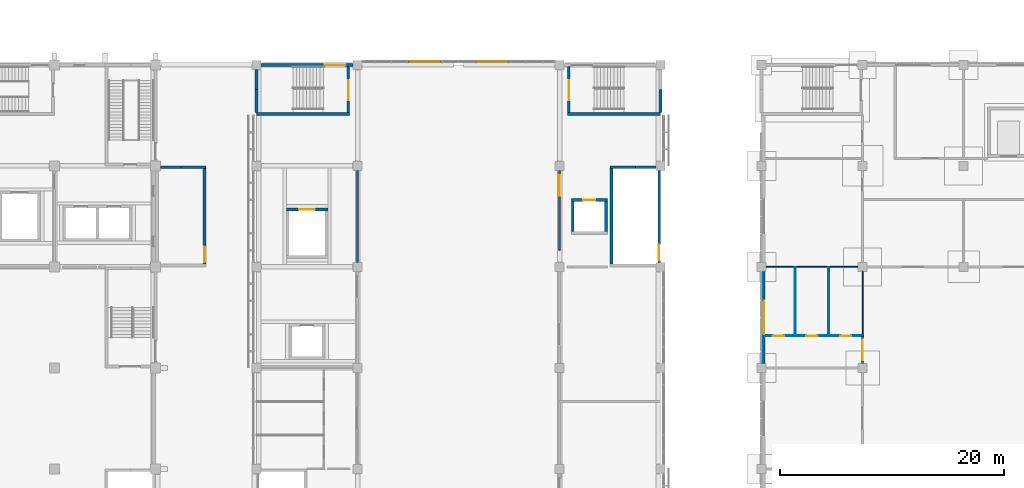
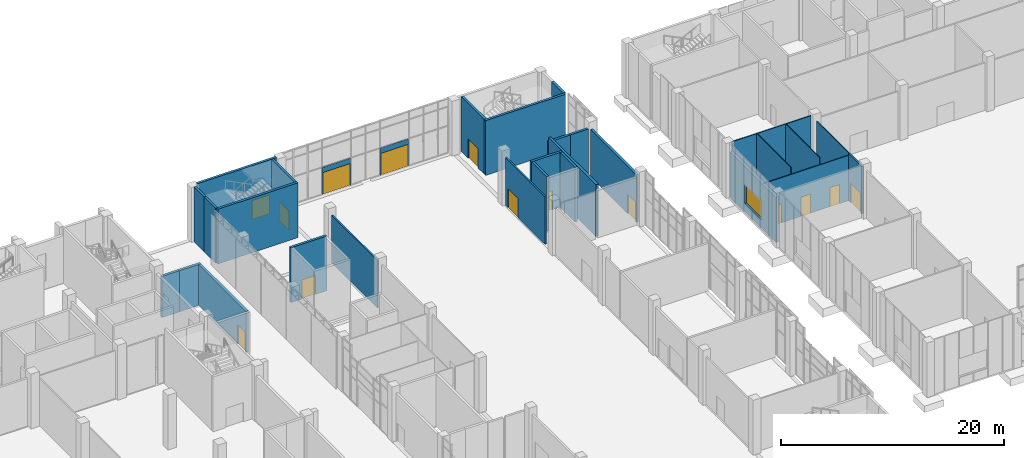
# One storey, part 57 of 86: 30 walls, 14 doors, 1 window, 15 openings.
"""IFC4 building model written with IfcOpenShell, lengths in metres."""

from ifc_helpers import new_model, si_unit, direction, frame, frame_2d, origin, place, context, subcontext, project, spatial, rectangle, extrude, material, layer, layer_set, type_object, element, fill, save


model = new_model("IFC4")

# Units and contexts
model_context = context("Model", 3, precision=1e-05, world=origin(), true_north=direction((0.0, 1.0)))
body_context = subcontext(model_context, "Body", "Model", "MODEL_VIEW")
ifc_project = project(units=[si_unit("LENGTHUNIT", "METRE"), si_unit("AREAUNIT", "SQUARE_METRE"), si_unit("VOLUMEUNIT", "CUBIC_METRE"), si_unit("PLANEANGLEUNIT", "RADIAN"), si_unit("MASSUNIT", "GRAM", prefix="KILO")], contexts=[model_context])

# Site, building, storey
site_placement = place(None, origin())
site = spatial("IfcSite", under=ifc_project, at=site_placement, CompositionType="ELEMENT")
building_placement = place(site_placement, origin())
building = spatial("IfcBuilding", under=site, at=building_placement, Name="Guidao Yard Department Store", CompositionType="ELEMENT")
storey_placement = place(building_placement, origin())
storey = spatial("IfcBuildingStorey", under=building, at=storey_placement, Name="L00", CompositionType="ELEMENT", Elevation=0.0)

# Wall, openings, doors
ifc_material_1 = material(Name="Moisture-resistant board on Steel Q235 studs", Category="steel")
ifc_layer_1 = layer(ifc_material_1, 0.080078125)
ifc_layer_set_1 = layer_set([ifc_layer_1], Name="Cubicle Partition F6 80 mm moisture-resistant board")
wall_type_1 = type_object("IfcWallType", Name="Cubicle Partition F6 80 mm moisture-resistant board", PredefinedType="PARTITIONING", material=ifc_layer_set_1)
wall_1_placement = place(storey_placement, frame((117.14990234375, 83.85009765625, 0.0), z_axis=(0.0, 0.0, 1.0), x_axis=(1.0, 0.0, 0.0)))
wall_1 = element("IfcWall", 1, at=wall_1_placement, inside=storey, type_object=wall_type_1, Name="Wall W-L00-3026", PredefinedType="PARTITIONING", context=body_context, shape_type="SweptSolid", body=[
    extrude(rectangle(XDim=8.925048828125, YDim=0.080078125, at=frame_2d((4.46240234375, 0.0))), origin(), (0.0, 0.0, 1.0), 4.949951171875),
])
opening_1_placement = place(wall_1_placement, frame((0.85009765625, 0.0, 0.0)))
opening_1 = element("IfcOpeningElement", 2, at=opening_1_placement, cuts=wall_1, Name="Opening L00-313", PredefinedType="OPENING", context=body_context, shape_type="SweptSolid", body=[
    extrude(rectangle(XDim=1.0, YDim=2.10009765625, at=frame_2d((0.5, 1.050048828125))), frame((0.0, 0.050048828125, 0.0), z_axis=(0.0, -1.0, 0.0), x_axis=(1.0, 0.0, 0.0)), (0.0, 0.0, 1.0), 0.10009765625),
])
opening_2_placement = place(wall_1_placement, frame((3.85009765625, 0.0, 0.0)))
opening_2 = element("IfcOpeningElement", 3, at=opening_2_placement, cuts=wall_1, Name="Opening L00-314", PredefinedType="OPENING", context=body_context, shape_type="SweptSolid", body=[
    extrude(rectangle(XDim=1.0, YDim=2.10009765625, at=frame_2d((0.5, 1.050048828125))), frame((0.0, 0.050048828125, 0.0), z_axis=(0.0, -1.0, 0.0), x_axis=(1.0, 0.0, 0.0)), (0.0, 0.0, 1.0), 0.10009765625),
])
opening_3_placement = place(wall_1_placement, frame((6.85009765625, 0.0, 0.0)))
opening_3 = element("IfcOpeningElement", 4, at=opening_3_placement, cuts=wall_1, Name="Opening L00-315", PredefinedType="OPENING", context=body_context, shape_type="SweptSolid", body=[
    extrude(rectangle(XDim=1.0, YDim=2.10009765625, at=frame_2d((0.5, 1.050048828125))), frame((0.0, 0.050048828125, 0.0), z_axis=(0.0, -1.0, 0.0), x_axis=(1.0, 0.0, 0.0)), (0.0, 0.0, 1.0), 0.10009765625),
])
ifc_material_2 = material(Name="Timber door leaf", Category="wood")
door_type_1 = type_object("IfcDoorType", Name="Door FN1 1000 x 2100", OperationType="SINGLE_SWING_LEFT", PredefinedType="DOOR", material=ifc_material_2)
door_1_placement = place(opening_1_placement, origin())
door_1 = element("IfcDoor", 5, at=door_1_placement, inside=storey, type_object=door_type_1, Name="Door L00-313", OperationType="SINGLE_SWING_LEFT", OverallHeight=2.10009765625, OverallWidth=1.0, PredefinedType="DOOR", context=body_context, shape_type="SweptSolid", body=[
    extrude(rectangle(XDim=1.0, YDim=2.10009765625, at=frame_2d((0.5, 1.050048828125))), frame((0.0, 0.02490234375, 0.0), z_axis=(0.0, -1.0, 0.0), x_axis=(1.0, 0.0, 0.0)), (0.0, 0.0, 1.0), 0.050048828125),
])
fill(opening_1, door_1)
door_2_placement = place(opening_3_placement, origin())
door_2 = element("IfcDoor", 6, at=door_2_placement, inside=storey, type_object=door_type_1, Name="Door L00-315", OperationType="SINGLE_SWING_RIGHT", OverallHeight=2.10009765625, OverallWidth=1.0, PredefinedType="DOOR", context=body_context, shape_type="SweptSolid", body=[
    extrude(rectangle(XDim=1.0, YDim=2.10009765625, at=frame_2d((0.5, 1.050048828125))), frame((0.0, 0.02490234375, 0.0), z_axis=(0.0, -1.0, 0.0), x_axis=(1.0, 0.0, 0.0)), (0.0, 0.0, 1.0), 0.050048828125),
])
fill(opening_3, door_2)
ifc_material_3 = material(Name="Timber door leaf", Category="wood")
door_type_2 = type_object("IfcDoorType", Name="Door FN3 accessible WC 1000 x 2100", OperationType="SINGLE_SWING_LEFT", PredefinedType="DOOR", material=ifc_material_3)
door_3_placement = place(opening_2_placement, origin())
door_3 = element("IfcDoor", 7, at=door_3_placement, inside=storey, type_object=door_type_2, Name="Door L00-314", OperationType="SINGLE_SWING_LEFT", OverallHeight=2.10009765625, OverallWidth=1.0, PredefinedType="DOOR", context=body_context, shape_type="SweptSolid", body=[
    extrude(rectangle(XDim=1.0, YDim=2.10009765625, at=frame_2d((0.5, 1.050048828125))), frame((0.0, 0.02490234375, 0.0), z_axis=(0.0, -1.0, 0.0), x_axis=(1.0, 0.0, 0.0)), (0.0, 0.0, 1.0), 0.050048828125),
])
fill(opening_2, door_3)

# Walls
for number, where, z_axis, x_axis, name in (
    (8, (120.0, 83.889892578125, 0.0), (0.0, 0.0, 1.0), (0.0, 1.0, 0.0), "Wall W-L00-3027"),
    (9, (123.0, 83.889892578125, 0.0), (0.0, 0.0, 1.0), (0.0, 1.0, 0.0), "Wall W-L00-3028"),
):
    element("IfcWall", number, at=place(storey_placement, frame(where, z_axis=z_axis, x_axis=x_axis)), inside=storey, type_object=wall_type_1, Name=name, PredefinedType="PARTITIONING", context=body_context, shape_type="SweptSolid", body=[
        extrude(rectangle(XDim=6.06005859375, YDim=0.080078125, at=frame_2d((3.030029296875, 0.0))), origin(), (0.0, 0.0, 1.0), 5.699951171875),
    ])

# Wall, opening, window
ifc_material_4 = material(Name="Concrete C30", Category="concrete")
ifc_layer_2 = layer(ifc_material_4, 0.300048828125)
ifc_layer_set_2 = layer_set([ifc_layer_2], Name="Food hall wall 300 C30")
wall_type_2 = type_object("IfcWallType", Name="Food hall wall 300 C30", PredefinedType="SOLIDWALL", material=ifc_layer_set_2)
wall_2_placement = place(storey_placement, frame((117.14990234375, 81.39990234375, 0.0), z_axis=(0.0, 0.0, 1.0), x_axis=(0.0, 1.0, 0.0)))
wall_2 = element("IfcWall", 10, at=wall_2_placement, inside=storey, type_object=wall_type_2, Name="Food hall wall", PredefinedType="SOLIDWALL", context=body_context, shape_type="SweptSolid", body=[
    extrude(rectangle(XDim=8.2001953125, YDim=0.300048828125, at=frame_2d((4.10009765625, 0.0))), origin(), (0.0, 0.0, 1.0), 4.949951171875),
])
opening_4_placement = place(wall_2_placement, frame((2.60009765625, 0.0, 0.89990234375)))
opening_4 = element("IfcOpeningElement", 11, at=opening_4_placement, cuts=wall_2, Name="Opening WN-L00-E14", PredefinedType="OPENING", context=body_context, shape_type="SweptSolid", body=[
    extrude(rectangle(XDim=3.0, YDim=2.10009765625, at=frame_2d((1.5, 1.050048828125))), frame((0.0, 0.159912109375, 0.0), z_axis=(0.0, -1.0, 0.0), x_axis=(1.0, 0.0, 0.0)), (0.0, 0.0, 1.0), 0.320068359375),
])
ifc_material_5 = material(Name="Laminated glass in aluminium frame", Category="aluminium")
window_type = type_object("IfcWindowType", Name="Punched window PW2 3000 x 2100 fixed", PartitioningType="SINGLE_PANEL", PredefinedType="WINDOW", material=ifc_material_5)
window_placement = place(opening_4_placement, origin())
window = element("IfcWindow", 12, at=window_placement, inside=storey, type_object=window_type, Name="Punched window", OverallHeight=2.10009765625, OverallWidth=3.0, PartitioningType="SINGLE_PANEL", PredefinedType="WINDOW", context=body_context, shape_type="SweptSolid", body=[
    extrude(rectangle(XDim=3.0, YDim=2.10009765625, at=frame_2d((1.5, 1.050048828125))), frame((0.0, -0.030029296875, 0.0), z_axis=(0.0, -1.0, 0.0), x_axis=(1.0, 0.0, 0.0)), (0.0, 0.0, 1.0), 0.06005859375),
])
fill(opening_4, window)

# Wall, opening, door
ifc_material_6 = material(Name="Aluminium 6063-T5", Category="aluminium")
ifc_layer_3 = layer(ifc_material_6, 0.1201171875)
ifc_layer_set_3 = layer_set([ifc_layer_3], Name="Glazing frame wall 120")
wall_type_3 = type_object("IfcWallType", Name="Glazing frame wall 120", PredefinedType="STANDARD", material=ifc_layer_set_3)
wall_3_placement = place(storey_placement, frame((85.530029296875, 108.280029296875, 0.0), z_axis=(0.0, 0.0, 1.0), x_axis=(1.0, 0.0, 0.0)))
wall_3 = element("IfcWall", 13, at=wall_3_placement, inside=storey, type_object=wall_type_3, Name="Frame wall for Pedestrian exit gate", PredefinedType="STANDARD", context=body_context, shape_type="SweptSolid", body=[
    extrude(rectangle(XDim=2.93994140625, YDim=0.1201171875, at=frame_2d((1.469970703125, 0.0))), origin(), (0.0, 0.0, 1.0), 2.969970703125),
])
opening_5_placement = place(wall_3_placement, frame((0.070068359375, 0.0, 0.0)))
opening_5 = element("IfcOpeningElement", 14, at=opening_5_placement, cuts=wall_3, Name="Opening L00-867", PredefinedType="OPENING", context=body_context, shape_type="SweptSolid", body=[
    extrude(rectangle(XDim=2.800048828125, YDim=2.39990234375, at=frame_2d((1.39990234375, 1.199951171875))), frame((0.0, 0.070068359375, 0.0), z_axis=(0.0, -1.0, 0.0), x_axis=(1.0, 0.0, 0.0)), (0.0, 0.0, 1.0), 0.14013671875),
])
ifc_material_7 = material(Name="Toughened glass in Aluminium 6063-T5 frame", Category="aluminium")
door_type_3 = type_object("IfcDoorType", Name="Entrance door ED1 2800 x 2400 glazed double leaf", OperationType="DOUBLE_DOOR_SINGLE_SWING", PredefinedType="DOOR", material=ifc_material_7)
door_4_placement = place(opening_5_placement, origin())
door_4 = element("IfcDoor", 15, at=door_4_placement, inside=storey, type_object=door_type_3, Name="Pedestrian exit gate", OperationType="DOUBLE_DOOR_SINGLE_SWING", OverallHeight=2.39990234375, OverallWidth=2.800048828125, PredefinedType="DOOR", context=body_context, shape_type="SweptSolid", body=[
    extrude(rectangle(XDim=2.800048828125, YDim=2.39990234375, at=frame_2d((1.39990234375, 1.199951171875))), frame((0.0, 0.02490234375, 0.0), z_axis=(0.0, -1.0, 0.0), x_axis=(1.0, 0.0, 0.0)), (0.0, 0.0, 1.0), 0.050048828125),
])
fill(opening_5, door_4)

wall_4_placement = place(storey_placement, frame((91.530029296875, 108.280029296875, 0.0), z_axis=(0.0, 0.0, 1.0), x_axis=(1.0, 0.0, 0.0)))
wall_4 = element("IfcWall", 16, at=wall_4_placement, inside=storey, type_object=wall_type_3, Name="Frame wall for Pedestrian exit gate", PredefinedType="STANDARD", context=body_context, shape_type="SweptSolid", body=[
    extrude(rectangle(XDim=2.93994140625, YDim=0.1201171875, at=frame_2d((1.469970703125, 0.0))), origin(), (0.0, 0.0, 1.0), 2.969970703125),
])
opening_6_placement = place(wall_4_placement, frame((0.070068359375, 0.0, 0.0)))
opening_6 = element("IfcOpeningElement", 17, at=opening_6_placement, cuts=wall_4, Name="Opening L00-868", PredefinedType="OPENING", context=body_context, shape_type="SweptSolid", body=[
    extrude(rectangle(XDim=2.800048828125, YDim=2.39990234375, at=frame_2d((1.39990234375, 1.199951171875))), frame((0.0, 0.070068359375, 0.0), z_axis=(0.0, -1.0, 0.0), x_axis=(1.0, 0.0, 0.0)), (0.0, 0.0, 1.0), 0.14013671875),
])
door_5_placement = place(opening_6_placement, origin())
door_5 = element("IfcDoor", 18, at=door_5_placement, inside=storey, type_object=door_type_3, Name="Pedestrian exit gate", OperationType="DOUBLE_DOOR_SINGLE_SWING", OverallHeight=2.39990234375, OverallWidth=2.800048828125, PredefinedType="DOOR", context=body_context, shape_type="SweptSolid", body=[
    extrude(rectangle(XDim=2.800048828125, YDim=2.39990234375, at=frame_2d((1.39990234375, 1.199951171875))), frame((0.0, 0.02490234375, 0.0), z_axis=(0.0, -1.0, 0.0), x_axis=(1.0, 0.0, 0.0)), (0.0, 0.0, 1.0), 0.050048828125),
])
fill(opening_6, door_5)

# Walls
ifc_material_8 = material(Name="Gypsum board on Steel Q235 studs", Category="steel")
ifc_layer_4 = layer(ifc_material_8, 0.10009765625)
ifc_layer_set_4 = layer_set([ifc_layer_4], Name="Partition F1 100 mm gypsum board EI 30")
wall_type_4 = type_object("IfcWallType", Name="Partition F1 100 mm gypsum board EI 30", PredefinedType="PARTITIONING", material=ifc_layer_set_4)
wall_5_placement = place(storey_placement, frame((126.0, 83.889892578125, 0.0), z_axis=(0.0, 0.0, 1.0), x_axis=(0.0, 1.0, 0.0)))
element("IfcWall", 19, at=wall_5_placement, inside=storey, type_object=wall_type_4, Name="Wall W-L00-3029", PredefinedType="PARTITIONING", context=body_context, shape_type="SweptSolid", body=[
    extrude(rectangle(XDim=5.710205078125, YDim=0.10009765625, at=frame_2d((2.85498046875, 0.0))), origin(), (0.0, 0.0, 1.0), 5.199951171875),
])
wall_6_placement = place(storey_placement, frame((117.39990234375, 90.0, 0.0), z_axis=(0.0, 0.0, 1.0), x_axis=(1.0, 0.0, 0.0)))
element("IfcWall", 20, at=wall_6_placement, inside=storey, type_object=wall_type_4, Name="Wall W-L00-3034", PredefinedType="PARTITIONING", context=body_context, shape_type="SweptSolid", body=[
    extrude(rectangle(XDim=8.2001953125, YDim=0.10009765625, at=frame_2d((4.10009765625, 0.0))), origin(), (0.0, 0.0, 1.0), 5.699951171875),
])

# Wall, opening, door
ifc_material_9 = material(Name="Concrete block MU10", Category="concrete")
ifc_layer_5 = layer(ifc_material_9, 0.14990234375)
ifc_layer_set_5 = layer_set([ifc_layer_5], Name="Stall Front Wall F4 150 mm blockwork EI 60")
wall_type_5 = type_object("IfcWallType", Name="Stall Front Wall F4 150 mm blockwork EI 60", PredefinedType="PARTITIONING", material=ifc_layer_set_5)
wall_7_placement = place(storey_placement, frame((126.0, 81.39990234375, 0.0), z_axis=(0.0, 0.0, 1.0), x_axis=(0.0, 1.0, 0.0)))
wall_7 = element("IfcWall", 21, at=wall_7_placement, inside=storey, type_object=wall_type_5, Name="Wall W-L00-3023", PredefinedType="PARTITIONING", context=body_context, shape_type="SweptSolid", body=[
    extrude(rectangle(XDim=2.41015625, YDim=0.14990234375, at=frame_2d((1.205078125, 0.0))), origin(), (0.0, 0.0, 1.0), 5.199951171875),
])
opening_7_placement = place(wall_7_placement, frame((0.300048828125, 0.0, 0.0)))
opening_7 = element("IfcOpeningElement", 22, at=opening_7_placement, cuts=wall_7, Name="Opening L00-312", PredefinedType="OPENING", context=body_context, shape_type="SweptSolid", body=[
    extrude(rectangle(XDim=1.800048828125, YDim=2.10009765625, at=frame_2d((0.89990234375, 1.050048828125))), frame((0.0, 0.0849609375, 0.0), z_axis=(0.0, -1.0, 0.0), x_axis=(1.0, 0.0, 0.0)), (0.0, 0.0, 1.0), 0.169921875),
])
ifc_material_10 = material(Name="Timber door leaf", Category="wood")
door_type_4 = type_object("IfcDoorType", Name="Door FN2 double 1800 x 2100", OperationType="DOUBLE_DOOR_SINGLE_SWING", PredefinedType="DOOR", material=ifc_material_10)
door_6_placement = place(opening_7_placement, origin())
door_6 = element("IfcDoor", 23, at=door_6_placement, inside=storey, type_object=door_type_4, Name="Door L00-312", OperationType="DOUBLE_DOOR_SINGLE_SWING", OverallHeight=2.10009765625, OverallWidth=1.800048828125, PredefinedType="DOOR", context=body_context, shape_type="SweptSolid", body=[
    extrude(rectangle(XDim=1.800048828125, YDim=2.10009765625, at=frame_2d((0.89990234375, 1.050048828125))), frame((0.0, 0.02490234375, 0.0), z_axis=(0.0, -1.0, 0.0), x_axis=(1.0, 0.0, 0.0)), (0.0, 0.0, 1.0), 0.050048828125),
])
fill(opening_7, door_6)

# Wall
ifc_material_11 = material(Name="Concrete block MU10", Category="concrete")
ifc_layer_6 = layer(ifc_material_11, 0.14990234375)
ifc_layer_set_6 = layer_set([ifc_layer_6], Name="Wall P2 150 mm blockwork EI 60")
wall_type_6 = type_object("IfcWallType", Name="Wall P2 150 mm blockwork EI 60", PredefinedType="PARTITIONING", material=ifc_layer_set_6)
wall_8_placement = place(storey_placement, frame((81.0, 90.39990234375, 0.0), z_axis=(0.0, 0.0, 1.0), x_axis=(0.0, 1.0, 0.0)))
element("IfcWall", 24, at=wall_8_placement, inside=storey, type_object=wall_type_6, Name="Wall W-AL00-024", PredefinedType="PARTITIONING", context=body_context, shape_type="SweptSolid", body=[
    extrude(rectangle(XDim=8.2001953125, YDim=0.14990234375, at=frame_2d((4.10009765625, 0.0))), origin(), (0.0, 0.0, 1.0), 5.199951171875),
])

# Wall, opening, door
wall_9_placement = place(storey_placement, frame((99.0, 91.5, 0.0), z_axis=(0.0, 0.0, 1.0), x_axis=(0.0, 1.0, 0.0)))
wall_9 = element("IfcWall", 25, at=wall_9_placement, inside=storey, type_object=wall_type_6, Name="Wall W-AL00-025", PredefinedType="PARTITIONING", context=body_context, shape_type="SweptSolid", body=[
    extrude(rectangle(XDim=7.10009765625, YDim=0.14990234375, at=frame_2d((3.550048828125, 0.0))), origin(), (0.0, 0.0, 1.0), 5.199951171875),
])
opening_8_placement = place(wall_9_placement, frame((6.650146484375, 0.0, 0.0), z_axis=(0.0, 0.0, 1.0), x_axis=(-1.0, 0.0, 0.0)))
opening_8 = element("IfcOpeningElement", 26, at=opening_8_placement, cuts=wall_9, Name="Opening AL00-010", PredefinedType="OPENING", context=body_context, shape_type="SweptSolid", body=[
    extrude(rectangle(XDim=1.800048828125, YDim=2.10009765625, at=frame_2d((0.89990234375, 1.050048828125))), frame((0.0, 0.0849609375, 0.0), z_axis=(0.0, -1.0, 0.0), x_axis=(1.0, 0.0, 0.0)), (0.0, 0.0, 1.0), 0.169921875),
])
ifc_material_12 = material(Name="Steel Q235", Category="steel")
door_type_5 = type_object("IfcDoorType", Name="Door FD5 double 1800 x 2100 FD60", OperationType="DOUBLE_DOOR_SINGLE_SWING", PredefinedType="DOOR", material=ifc_material_12)
door_7_placement = place(opening_8_placement, origin())
door_7 = element("IfcDoor", 27, at=door_7_placement, inside=storey, type_object=door_type_5, Name="Door AL00-010", OperationType="DOUBLE_DOOR_SINGLE_SWING", OverallHeight=2.10009765625, OverallWidth=1.800048828125, PredefinedType="DOOR", context=body_context, shape_type="SweptSolid", body=[
    extrude(rectangle(XDim=1.800048828125, YDim=2.10009765625, at=frame_2d((0.89990234375, 1.050048828125))), frame((0.0, 0.02490234375, 0.0), z_axis=(0.0, -1.0, 0.0), x_axis=(1.0, 0.0, 0.0)), (0.0, 0.0, 1.0), 0.050048828125),
])
fill(opening_8, door_7)

# Walls
ifc_material_13 = material(Name="Concrete C40", Category="concrete")
ifc_layer_7 = layer(ifc_material_13, 0.25)
ifc_layer_set_7 = layer_set([ifc_layer_7], Name="Wall RC 250 C40 stair and shaft")
wall_type_7 = type_object("IfcWallType", Name="Wall RC 250 C40 stair and shaft", PredefinedType="SHEAR", material=ifc_layer_set_7)
wall_10_placement = place(storey_placement, frame((103.5, 98.875, 0.0), z_axis=(0.0, 0.0, 1.0), x_axis=(1.0, 0.0, 0.0)))
element("IfcWall", 28, at=wall_10_placement, inside=storey, type_object=wall_type_7, Name="Stair wall BSG2", PredefinedType="SHEAR", context=body_context, shape_type="SweptSolid", body=[
    extrude(rectangle(XDim=2.25, YDim=0.25, at=frame_2d((1.125, 0.0))), origin(), (0.0, 0.0, 1.0), 5.199951171875),
])
wall_11_placement = place(storey_placement, frame((105.75, 98.875, 0.0), z_axis=(0.0, 0.0, 1.0), x_axis=(1.0, 0.0, 0.0)))
element("IfcWall", 29, at=wall_11_placement, inside=storey, type_object=wall_type_7, Name="Stair wall BSG2", PredefinedType="SHEAR", context=body_context, shape_type="SweptSolid", body=[
    extrude(rectangle(XDim=1.85009765625, YDim=0.25, at=frame_2d((0.925048828125, 0.0))), origin(), (0.0, 0.0, 1.0), 5.199951171875),
])
wall_12_placement = place(storey_placement, frame((103.625, 90.25, 0.0), z_axis=(0.0, 0.0, 1.0), x_axis=(0.0, 1.0, 0.0)))
element("IfcWall", 30, at=wall_12_placement, inside=storey, type_object=wall_type_7, Name="Stair wall BSG2", PredefinedType="SHEAR", context=body_context, shape_type="SweptSolid", body=[
    extrude(rectangle(XDim=8.5, YDim=0.25, at=frame_2d((4.25, 0.0))), origin(), (0.0, 0.0, 1.0), 5.699951171875),
])

# Wall, opening, door
wall_13_placement = place(storey_placement, frame((107.875, 90.39990234375, 0.0), z_axis=(0.0, 0.0, 1.0), x_axis=(0.0, 1.0, 0.0)))
wall_13 = element("IfcWall", 31, at=wall_13_placement, inside=storey, type_object=wall_type_7, Name="Stair wall BSG2", PredefinedType="SHEAR", context=body_context, shape_type="SweptSolid", body=[
    extrude(rectangle(XDim=8.2001953125, YDim=0.25, at=frame_2d((4.10009765625, 0.0))), origin(), (0.0, 0.0, 1.0), 5.199951171875),
])
opening_9_placement = place(wall_13_placement, frame((1.574951171875, 0.0, 0.0), z_axis=(0.0, 0.0, 1.0), x_axis=(-1.0, 0.0, 0.0)))
opening_9 = element("IfcOpeningElement", 32, at=opening_9_placement, cuts=wall_13, Name="Opening L00-801", PredefinedType="OPENING", context=body_context, shape_type="SweptSolid", body=[
    extrude(rectangle(XDim=1.39990234375, YDim=2.10009765625, at=frame_2d((0.699951171875, 1.050048828125))), frame((0.0, 0.135009765625, 0.0), z_axis=(0.0, -1.0, 0.0), x_axis=(1.0, 0.0, 0.0)), (0.0, 0.0, 1.0), 0.27001953125),
])
ifc_material_14 = material(Name="Steel Q235", Category="steel")
door_type_6 = type_object("IfcDoorType", Name="Door fire-resisting 1400 x 2100 FD60", OperationType="DOUBLE_DOOR_SINGLE_SWING", PredefinedType="DOOR", material=ifc_material_14)
door_8_placement = place(opening_9_placement, origin())
door_8 = element("IfcDoor", 33, at=door_8_placement, inside=storey, type_object=door_type_6, Name="Basement stair G2 door L00 discharge", OperationType="DOUBLE_DOOR_SINGLE_SWING", OverallHeight=2.10009765625, OverallWidth=1.39990234375, PredefinedType="DOOR", context=body_context, shape_type="SweptSolid", body=[
    extrude(rectangle(XDim=1.39990234375, YDim=2.10009765625, at=frame_2d((0.699951171875, 1.050048828125))), frame((0.0, 0.02490234375, 0.0), z_axis=(0.0, -1.0, 0.0), x_axis=(1.0, 0.0, 0.0)), (0.0, 0.0, 1.0), 0.050048828125),
])
fill(opening_9, door_8)

# Walls
wall_14_placement = place(storey_placement, frame((63.449951171875, 98.875, 0.0), z_axis=(0.0, 0.0, 1.0), x_axis=(1.0, 0.0, 0.0)))
element("IfcWall", 34, at=wall_14_placement, inside=storey, type_object=wall_type_7, Name="Stair wall BSH2", PredefinedType="SHEAR", context=body_context, shape_type="SweptSolid", body=[
    extrude(rectangle(XDim=1.800048828125, YDim=0.25, at=frame_2d((0.89990234375, 0.0))), origin(), (0.0, 0.0, 1.0), 4.5),
])
wall_15_placement = place(storey_placement, frame((65.25, 98.875, 0.0), z_axis=(0.0, 0.0, 1.0), x_axis=(1.0, 0.0, 0.0)))
element("IfcWall", 35, at=wall_15_placement, inside=storey, type_object=wall_type_7, Name="Stair wall BSH2", PredefinedType="SHEAR", context=body_context, shape_type="SweptSolid", body=[
    extrude(rectangle(XDim=2.25, YDim=0.25, at=frame_2d((1.125, 0.0))), origin(), (0.0, 0.0, 1.0), 4.5),
])

# Wall, opening, door
wall_16_placement = place(storey_placement, frame((67.375, 90.25, 0.0), z_axis=(0.0, 0.0, 1.0), x_axis=(0.0, 1.0, 0.0)))
wall_16 = element("IfcWall", 36, at=wall_16_placement, inside=storey, type_object=wall_type_7, Name="Stair wall BSH2", PredefinedType="SHEAR", context=body_context, shape_type="SweptSolid", body=[
    extrude(rectangle(XDim=8.5, YDim=0.25, at=frame_2d((4.25, 0.0))), origin(), (0.0, 0.0, 1.0), 4.5),
])
opening_10_placement = place(wall_16_placement, frame((1.5498046875, 0.0, 0.0), z_axis=(0.0, 0.0, 1.0), x_axis=(-1.0, 0.0, 0.0)))
opening_10 = element("IfcOpeningElement", 37, at=opening_10_placement, cuts=wall_16, Name="Opening L00-803", PredefinedType="OPENING", context=body_context, shape_type="SweptSolid", body=[
    extrude(rectangle(XDim=1.39990234375, YDim=2.10009765625, at=frame_2d((0.699951171875, 1.050048828125))), frame((0.0, 0.135009765625, 0.0), z_axis=(0.0, -1.0, 0.0), x_axis=(1.0, 0.0, 0.0)), (0.0, 0.0, 1.0), 0.27001953125),
])
door_9_placement = place(opening_10_placement, origin())
door_9 = element("IfcDoor", 38, at=door_9_placement, inside=storey, type_object=door_type_6, Name="Basement stair H2 door L00 discharge", OperationType="DOUBLE_DOOR_SINGLE_SWING", OverallHeight=2.10009765625, OverallWidth=1.39990234375, PredefinedType="DOOR", context=body_context, shape_type="SweptSolid", body=[
    extrude(rectangle(XDim=1.39990234375, YDim=2.10009765625, at=frame_2d((0.699951171875, 1.050048828125))), frame((0.0, 0.02490234375, 0.0), z_axis=(0.0, -1.0, 0.0), x_axis=(1.0, 0.0, 0.0)), (0.0, 0.0, 1.0), 0.050048828125),
])
fill(opening_10, door_9)

# Wall
wall_17_placement = place(storey_placement, frame((72.0, 103.625, 0.0), z_axis=(0.0, 0.0, 1.0), x_axis=(1.0, 0.0, 0.0)))
element("IfcWall", 39, at=wall_17_placement, inside=storey, type_object=wall_type_7, Name="Stair wall SG2", PredefinedType="SHEAR", context=body_context, shape_type="SweptSolid", body=[
    extrude(rectangle(XDim=8.300048828125, YDim=0.25, at=frame_2d((4.14990234375, 0.0))), origin(), (0.0, 0.0, 1.0), 6.0),
])

# Wall, opening, door
wall_18_placement = place(storey_placement, frame((72.39990234375, 108.0, 0.0), z_axis=(0.0, 0.0, 1.0), x_axis=(1.0, 0.0, 0.0)))
wall_18 = element("IfcWall", 40, at=wall_18_placement, inside=storey, type_object=wall_type_7, Name="Stair wall SG2", PredefinedType="SHEAR", context=body_context, shape_type="SweptSolid", body=[
    extrude(rectangle(XDim=8.2001953125, YDim=0.25, at=frame_2d((4.10009765625, 0.0))), origin(), (0.0, 0.0, 1.0), 6.0),
])
opening_11_placement = place(wall_18_placement, frame((5.699951171875, 0.0, 0.0)))
opening_11 = element("IfcOpeningElement", 41, at=opening_11_placement, cuts=wall_18, Name="Opening L00-833", PredefinedType="OPENING", context=body_context, shape_type="SweptSolid", body=[
    extrude(rectangle(XDim=1.800048828125, YDim=2.10009765625, at=frame_2d((0.89990234375, 1.050048828125))), frame((0.0, 0.135009765625, 0.0), z_axis=(0.0, -1.0, 0.0), x_axis=(1.0, 0.0, 0.0)), (0.0, 0.0, 1.0), 0.27001953125),
])
ifc_material_15 = material(Name="Steel Q235", Category="steel")
door_type_7 = type_object("IfcDoorType", Name="Door fire-resisting 1800 x 2100 FD60", OperationType="DOUBLE_DOOR_SINGLE_SWING", PredefinedType="DOOR", material=ifc_material_15)
door_10_placement = place(opening_11_placement, origin())
door_10 = element("IfcDoor", 42, at=door_10_placement, inside=storey, type_object=door_type_7, Name="Stair G2 door L00 discharge", OperationType="DOUBLE_DOOR_SINGLE_SWING", OverallHeight=2.10009765625, OverallWidth=1.800048828125, PredefinedType="DOOR", context=body_context, shape_type="SweptSolid", body=[
    extrude(rectangle(XDim=1.800048828125, YDim=2.10009765625, at=frame_2d((0.89990234375, 1.050048828125))), frame((0.0, 0.02490234375, 0.0), z_axis=(0.0, -1.0, 0.0), x_axis=(1.0, 0.0, 0.0)), (0.0, 0.0, 1.0), 0.050048828125),
])
fill(opening_11, door_10)

# Walls
wall_19_placement = place(storey_placement, frame((72.0, 103.75, 0.0), z_axis=(0.0, 0.0, 1.0), x_axis=(0.0, 1.0, 0.0)))
element("IfcWall", 43, at=wall_19_placement, inside=storey, type_object=wall_type_7, Name="Stair wall SG2", PredefinedType="SHEAR", context=body_context, shape_type="SweptSolid", body=[
    extrude(rectangle(XDim=2.06201171875, YDim=0.25, at=frame_2d((1.031005859375, 0.0))), origin(), (0.0, 0.0, 1.0), 6.0),
])
wall_20_placement = place(storey_placement, frame((72.0, 105.81201171875, 0.0), z_axis=(0.0, 0.0, 1.0), x_axis=(0.0, 1.0, 0.0)))
element("IfcWall", 44, at=wall_20_placement, inside=storey, type_object=wall_type_7, Name="Stair wall SG2", PredefinedType="SHEAR", context=body_context, shape_type="SweptSolid", body=[
    extrude(rectangle(XDim=1.7880859375, YDim=0.25, at=frame_2d((0.89404296875, 0.0))), origin(), (0.0, 0.0, 1.0), 6.0),
])

# Wall, opening, door
wall_21_placement = place(storey_placement, frame((80.175048828125, 103.75, 0.0), z_axis=(0.0, 0.0, 1.0), x_axis=(0.0, 1.0, 0.0)))
wall_21 = element("IfcWall", 45, at=wall_21_placement, inside=storey, type_object=wall_type_7, Name="Stair wall SG2", PredefinedType="SHEAR", context=body_context, shape_type="SweptSolid", body=[
    extrude(rectangle(XDim=4.125, YDim=0.25, at=frame_2d((2.0625, 0.0))), origin(), (0.0, 0.0, 1.0), 6.0),
])
opening_12_placement = place(wall_21_placement, frame((2.900146484375, 0.0, 0.0), z_axis=(0.0, 0.0, 1.0), x_axis=(-1.0, 0.0, 0.0)))
opening_12 = element("IfcOpeningElement", 46, at=opening_12_placement, cuts=wall_21, Name="Opening L00-832", PredefinedType="OPENING", context=body_context, shape_type="SweptSolid", body=[
    extrude(rectangle(XDim=1.800048828125, YDim=2.10009765625, at=frame_2d((0.89990234375, 1.050048828125))), frame((0.0, 0.135009765625, 0.0), z_axis=(0.0, -1.0, 0.0), x_axis=(1.0, 0.0, 0.0)), (0.0, 0.0, 1.0), 0.27001953125),
])
door_11_placement = place(opening_12_placement, origin())
door_11 = element("IfcDoor", 47, at=door_11_placement, inside=storey, type_object=door_type_7, Name="Stair G2 door L00", OperationType="DOUBLE_DOOR_SINGLE_SWING", OverallHeight=2.10009765625, OverallWidth=1.800048828125, PredefinedType="DOOR", context=body_context, shape_type="SweptSolid", body=[
    extrude(rectangle(XDim=1.800048828125, YDim=2.10009765625, at=frame_2d((0.89990234375, 1.050048828125))), frame((0.0, 0.02490234375, 0.0), z_axis=(0.0, -1.0, 0.0), x_axis=(1.0, 0.0, 0.0)), (0.0, 0.0, 1.0), 0.050048828125),
])
fill(opening_12, door_11)

# Wall
wall_22_placement = place(storey_placement, frame((99.699951171875, 103.625, 0.0), z_axis=(0.0, 0.0, 1.0), x_axis=(1.0, 0.0, 0.0)))
element("IfcWall", 48, at=wall_22_placement, inside=storey, type_object=wall_type_7, Name="Stair wall SG4", PredefinedType="SHEAR", context=body_context, shape_type="SweptSolid", body=[
    extrude(rectangle(XDim=8.300048828125, YDim=0.25, at=frame_2d((4.14990234375, 0.0))), origin(), (0.0, 0.0, 1.0), 6.0),
])

# Wall, opening, door
wall_23_placement = place(storey_placement, frame((99.824951171875, 103.75, 0.0), z_axis=(0.0, 0.0, 1.0), x_axis=(0.0, 1.0, 0.0)))
wall_23 = element("IfcWall", 49, at=wall_23_placement, inside=storey, type_object=wall_type_7, Name="Stair wall SG4", PredefinedType="SHEAR", context=body_context, shape_type="SweptSolid", body=[
    extrude(rectangle(XDim=4.125, YDim=0.25, at=frame_2d((2.0625, 0.0))), origin(), (0.0, 0.0, 1.0), 6.0),
])
opening_13_placement = place(wall_23_placement, frame((1.10009765625, 0.0, 0.0)))
opening_13 = element("IfcOpeningElement", 50, at=opening_13_placement, cuts=wall_23, Name="Opening L00-836", PredefinedType="OPENING", context=body_context, shape_type="SweptSolid", body=[
    extrude(rectangle(XDim=1.800048828125, YDim=2.10009765625, at=frame_2d((0.89990234375, 1.050048828125))), frame((0.0, 0.135009765625, 0.0), z_axis=(0.0, -1.0, 0.0), x_axis=(1.0, 0.0, 0.0)), (0.0, 0.0, 1.0), 0.27001953125),
])
door_12_placement = place(opening_13_placement, origin())
door_12 = element("IfcDoor", 51, at=door_12_placement, inside=storey, type_object=door_type_7, Name="Stair G4 door L00", OperationType="DOUBLE_DOOR_SINGLE_SWING", OverallHeight=2.10009765625, OverallWidth=1.800048828125, PredefinedType="DOOR", context=body_context, shape_type="SweptSolid", body=[
    extrude(rectangle(XDim=1.800048828125, YDim=2.10009765625, at=frame_2d((0.89990234375, 1.050048828125))), frame((0.0, 0.02490234375, 0.0), z_axis=(0.0, -1.0, 0.0), x_axis=(1.0, 0.0, 0.0)), (0.0, 0.0, 1.0), 0.050048828125),
])
fill(opening_13, door_12)

# Wall
wall_24_placement = place(storey_placement, frame((108.0, 103.75, 0.0), z_axis=(0.0, 0.0, 1.0), x_axis=(0.0, 1.0, 0.0)))
element("IfcWall", 52, at=wall_24_placement, inside=storey, type_object=wall_type_7, Name="Stair wall SG4", PredefinedType="SHEAR", context=body_context, shape_type="SweptSolid", body=[
    extrude(rectangle(XDim=2.06201171875, YDim=0.25, at=frame_2d((1.031005859375, 0.0))), origin(), (0.0, 0.0, 1.0), 6.0),
])

# Wall, opening, door
wall_25_placement = place(storey_placement, frame((74.64990234375, 95.125, 0.0), z_axis=(0.0, 0.0, 1.0), x_axis=(1.0, 0.0, 0.0)))
wall_25 = element("IfcWall", 53, at=wall_25_placement, inside=storey, type_object=wall_type_7, Name="Lift shaft wall GG1", PredefinedType="SHEAR", context=body_context, shape_type="SweptSolid", body=[
    extrude(rectangle(XDim=3.7001953125, YDim=0.25, at=frame_2d((1.85009765625, 0.0))), origin(), (0.0, 0.0, 1.0), 6.0),
])
opening_14_placement = place(wall_25_placement, frame((1.14990234375, 0.0, 0.0)))
opening_14 = element("IfcOpeningElement", 54, at=opening_14_placement, cuts=wall_25, Name="Opening LD-GG1-L00", PredefinedType="OPENING", context=body_context, shape_type="SweptSolid", body=[
    extrude(rectangle(XDim=1.39990234375, YDim=2.10009765625, at=frame_2d((0.699951171875, 1.050048828125))), frame((0.0, 0.135009765625, 0.0), z_axis=(0.0, -1.0, 0.0), x_axis=(1.0, 0.0, 0.0)), (0.0, 0.0, 1.0), 0.27001953125),
])
ifc_material_16 = material(Name="Stainless steel 06Cr19Ni10", Category="steel")
door_type_8 = type_object("IfcDoorType", Name="Lift landing door fire-resisting sliding 1400 x 2100", OperationType="DOUBLE_DOOR_SLIDING", PredefinedType="DOOR", material=ifc_material_16)
door_13_placement = place(opening_14_placement, origin())
door_13 = element("IfcDoor", 55, at=door_13_placement, inside=storey, type_object=door_type_8, Name="Lift landing door GG1 L00", OperationType="DOUBLE_DOOR_SLIDING", OverallHeight=2.10009765625, OverallWidth=1.39990234375, PredefinedType="DOOR", context=body_context, shape_type="SweptSolid", body=[
    extrude(rectangle(XDim=1.39990234375, YDim=2.10009765625, at=frame_2d((0.699951171875, 1.050048828125))), frame((0.0, 0.02490234375, 0.0), z_axis=(0.0, -1.0, 0.0), x_axis=(1.0, 0.0, 0.0)), (0.0, 0.0, 1.0), 0.050048828125),
])
fill(opening_14, door_13)

wall_26_placement = place(storey_placement, frame((100.050048828125, 95.97509765625, 0.0), z_axis=(0.0, 0.0, 1.0), x_axis=(1.0, 0.0, 0.0)))
wall_26 = element("IfcWall", 56, at=wall_26_placement, inside=storey, type_object=wall_type_7, Name="Lift shaft wall GL2", PredefinedType="SHEAR", context=body_context, shape_type="SweptSolid", body=[
    extrude(rectangle(XDim=3.199951171875, YDim=0.25, at=frame_2d((1.60009765625, 0.0))), origin(), (0.0, 0.0, 1.0), 6.0),
])
opening_15_placement = place(wall_26_placement, frame((1.050048828125, 0.0, 0.0)))
opening_15 = element("IfcOpeningElement", 57, at=opening_15_placement, cuts=wall_26, Name="Opening LD-GL2-L00", PredefinedType="OPENING", context=body_context, shape_type="SweptSolid", body=[
    extrude(rectangle(XDim=1.10009765625, YDim=2.10009765625, at=frame_2d((0.550048828125, 1.050048828125))), frame((0.0, 0.135009765625, 0.0), z_axis=(0.0, -1.0, 0.0), x_axis=(1.0, 0.0, 0.0)), (0.0, 0.0, 1.0), 0.27001953125),
])
ifc_material_17 = material(Name="Stainless steel 06Cr19Ni10", Category="steel")
door_type_9 = type_object("IfcDoorType", Name="Lift landing door fire-resisting sliding 1100 x 2100", OperationType="DOUBLE_DOOR_SLIDING", PredefinedType="DOOR", material=ifc_material_17)
door_14_placement = place(opening_15_placement, origin())
door_14 = element("IfcDoor", 58, at=door_14_placement, inside=storey, type_object=door_type_9, Name="Lift landing door GL2 L00", OperationType="DOUBLE_DOOR_SLIDING", OverallHeight=2.10009765625, OverallWidth=1.10009765625, PredefinedType="DOOR", context=body_context, shape_type="SweptSolid", body=[
    extrude(rectangle(XDim=1.10009765625, YDim=2.10009765625, at=frame_2d((0.550048828125, 1.050048828125))), frame((0.0, 0.02490234375, 0.0), z_axis=(0.0, -1.0, 0.0), x_axis=(1.0, 0.0, 0.0)), (0.0, 0.0, 1.0), 0.050048828125),
])
fill(opening_15, door_14)

# Walls
for number, where, z_axis, x_axis, name in (
    (59, (100.175048828125, 93.14990234375, 0.0), (0.0, 0.0, 1.0), (0.0, 1.0, 0.0), "Lift shaft wall GL2"),
    (60, (103.125, 93.14990234375, 0.0), (0.0, 0.0, 1.0), (0.0, 1.0, 0.0), "Lift shaft wall GL2"),
):
    element("IfcWall", number, at=place(storey_placement, frame(where, z_axis=z_axis, x_axis=x_axis)), inside=storey, type_object=wall_type_7, Name=name, PredefinedType="SHEAR", context=body_context, shape_type="SweptSolid", body=[
        extrude(rectangle(XDim=2.7001953125, YDim=0.25, at=frame_2d((1.35009765625, 0.0))), origin(), (0.0, 0.0, 1.0), 6.0),
    ])

save(model, "model.ifc")
